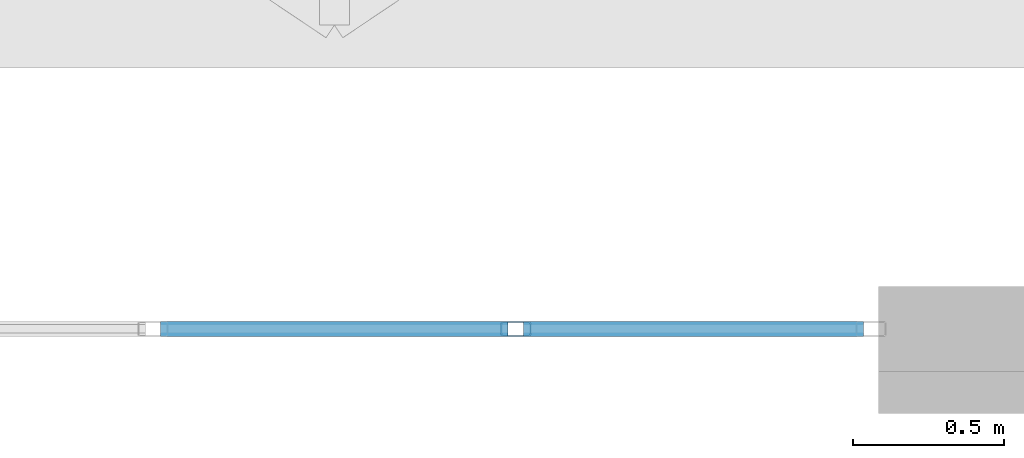
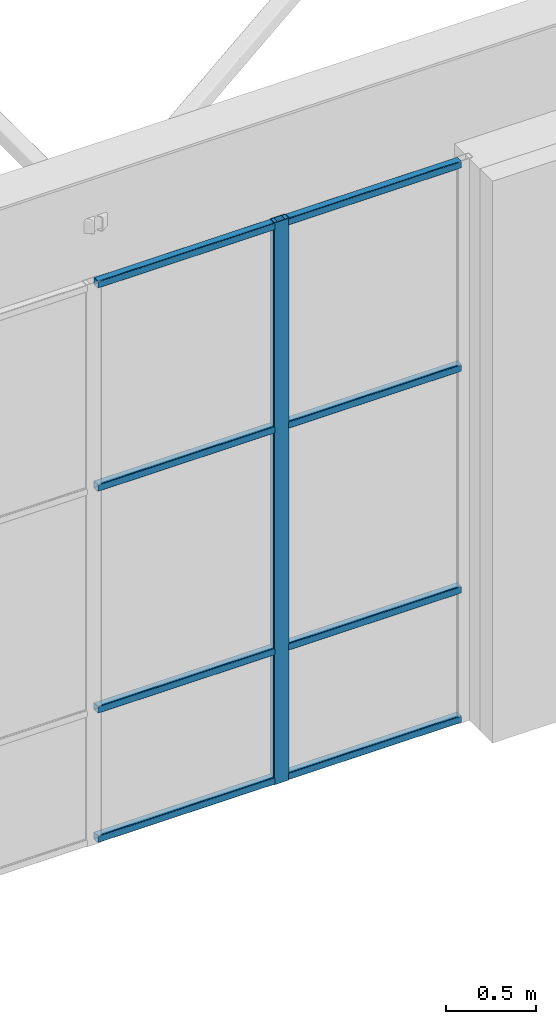
# One storey, part 28 of 81: 9 members, 1 element without a shape of its own.
"""IFC4 building model written with IfcOpenShell, lengths in metres."""

from ifc_helpers import new_model, si_unit, direction, frame, origin, origin_2d, place, context, subcontext, project, spatial, hollow_rectangle, extrude, material, layer, layer_set, material_profile, profile_set, type_object, element, aggregate, save


model = new_model("IFC4")

# Units and contexts
model_context = context("Model", 3, precision=1e-05, world=origin(), true_north=direction((0.0, 1.0)))
body_context = subcontext(model_context, "Body", "Model", "MODEL_VIEW")
ifc_project = project(units=[si_unit("LENGTHUNIT", "METRE"), si_unit("AREAUNIT", "SQUARE_METRE"), si_unit("VOLUMEUNIT", "CUBIC_METRE"), si_unit("PLANEANGLEUNIT", "RADIAN"), si_unit("MASSUNIT", "GRAM", prefix="KILO")], contexts=[model_context])

# Site, building, storey
site_placement = place(None, origin())
site = spatial("IfcSite", under=ifc_project, at=site_placement, CompositionType="ELEMENT")
building_placement = place(site_placement, origin())
building = spatial("IfcBuilding", under=site, at=building_placement, Name="Tuart Plaza Theatre", CompositionType="ELEMENT")
storey_placement = place(building_placement, frame((0.0, 0.0, 17.5)))
storey = spatial("IfcBuildingStorey", under=building, at=storey_placement, Name="L04", CompositionType="ELEMENT", Elevation=17.5)

# Curtain wall, members
ifc_material_1 = material(Name="Aluminium and glass", Category="aluminium")
ifc_layer = layer(ifc_material_1, 0.10009765625)
ifc_layer_set = layer_set([ifc_layer], Name="CURTAIN WALL 1200 module")
curtain_wall_type = type_object("IfcCurtainWallType", Name="CURTAIN WALL 1200 module", PredefinedType="NOTDEFINED", material=ifc_layer_set)
curtain_wall_placement = place(storey_placement, origin())
curtain_wall = element("IfcCurtainWall", 1, at=curtain_wall_placement, inside=storey, type_object=curtain_wall_type, Name="CW47", PredefinedType="NOTDEFINED")
ifc_material_2 = material(Name="Aluminium 6063-T5", Category="aluminium")
ifc_material_profile_1 = material_profile(ifc_material_2, hollow_rectangle(XDim=0.050048828125, YDim=0.10009765625, WallThickness=0.00390625, InnerFilletRadius=0.00390625, OuterFilletRadius=0.008056640625, at=origin_2d()), Name="RHS 100x50x4")
ifc_profile_set_1 = profile_set([ifc_material_profile_1], Name="Aluminium 6063-T5")
member_type_1 = type_object("IfcMemberType", Name="MULLION RHS 100x50x4", PredefinedType="MULLION", material=ifc_profile_set_1)
member_1_placement = place(storey_placement, frame((96.60009765625, 31.0, 0.0), z_axis=(0.0, 0.0, 1.0), x_axis=(0.0, 1.0, 0.0)))
member_1 = element("IfcMember", 2, at=member_1_placement, type_object=member_type_1, Name="CW47 mullion 3", PredefinedType="MULLION", context=body_context, shape_type="SweptSolid", body=[
    extrude(hollow_rectangle(XDim=0.050048828125, YDim=0.10009765625, WallThickness=0.00390625, InnerFilletRadius=0.00390625, OuterFilletRadius=0.008056640625, at=origin_2d()), origin(), (0.0, 0.0, 1.0), 3.800048828125),
])
ifc_material_3 = material(Name="Aluminium 6063-T5", Category="aluminium")
ifc_material_profile_2 = material_profile(ifc_material_3, hollow_rectangle(XDim=0.050048828125, YDim=0.050048828125, WallThickness=0.00390625, InnerFilletRadius=0.00390625, OuterFilletRadius=0.008056640625, at=origin_2d()), Name="RHS 50x50x4")
ifc_profile_set_2 = profile_set([ifc_material_profile_2], Name="Aluminium 6063-T5")
member_type_2 = type_object("IfcMemberType", Name="TRANSOM RHS 50x50x4", PredefinedType="USERDEFINED", material=ifc_profile_set_2)
member_2_placement = place(storey_placement, frame((95.425048828125, 31.0, 0.02490234375), z_axis=(1.0, 0.0, 0.0), x_axis=(0.0, 1.0, 0.0)))
member_2 = element("IfcMember", 3, at=member_2_placement, type_object=member_type_2, Name="CW47 transom 2.1", ObjectType="TRANSOM", PredefinedType="USERDEFINED", context=body_context, shape_type="SweptSolid", body=[
    extrude(hollow_rectangle(XDim=0.050048828125, YDim=0.050048828125, WallThickness=0.00390625, InnerFilletRadius=0.00390625, OuterFilletRadius=0.008056640625, at=origin_2d()), origin(), (0.0, 0.0, 1.0), 1.14990234375),
])
member_3_placement = place(storey_placement, frame((95.425048828125, 31.0, 0.89990234375), z_axis=(1.0, 0.0, 0.0), x_axis=(0.0, 1.0, 0.0)))
member_3 = element("IfcMember", 4, at=member_3_placement, type_object=member_type_2, Name="CW47 transom 2.2", ObjectType="TRANSOM", PredefinedType="USERDEFINED", context=body_context, shape_type="SweptSolid", body=[
    extrude(hollow_rectangle(XDim=0.050048828125, YDim=0.050048828125, WallThickness=0.00390625, InnerFilletRadius=0.00390625, OuterFilletRadius=0.008056640625, at=origin_2d()), origin(), (0.0, 0.0, 1.0), 1.14990234375),
])
member_4_placement = place(storey_placement, frame((95.425048828125, 31.0, 2.39990234375), z_axis=(1.0, 0.0, 0.0), x_axis=(0.0, 1.0, 0.0)))
member_4 = element("IfcMember", 5, at=member_4_placement, type_object=member_type_2, Name="CW47 transom 2.3", ObjectType="TRANSOM", PredefinedType="USERDEFINED", context=body_context, shape_type="SweptSolid", body=[
    extrude(hollow_rectangle(XDim=0.050048828125, YDim=0.050048828125, WallThickness=0.00390625, InnerFilletRadius=0.00390625, OuterFilletRadius=0.008056640625, at=origin_2d()), origin(), (0.0, 0.0, 1.0), 1.14990234375),
])
member_5_placement = place(storey_placement, frame((95.425048828125, 31.0, 3.77490234375), z_axis=(1.0, 0.0, 0.0), x_axis=(0.0, 1.0, 0.0)))
member_5 = element("IfcMember", 6, at=member_5_placement, type_object=member_type_2, Name="CW47 transom 2.4", ObjectType="TRANSOM", PredefinedType="USERDEFINED", context=body_context, shape_type="SweptSolid", body=[
    extrude(hollow_rectangle(XDim=0.050048828125, YDim=0.050048828125, WallThickness=0.00390625, InnerFilletRadius=0.00390625, OuterFilletRadius=0.008056640625, at=origin_2d()), origin(), (0.0, 0.0, 1.0), 1.14990234375),
])
member_6_placement = place(storey_placement, frame((96.625, 31.0, 0.02490234375), z_axis=(1.0, 0.0, 0.0), x_axis=(0.0, 1.0, 0.0)))
member_6 = element("IfcMember", 7, at=member_6_placement, type_object=member_type_2, Name="CW47 transom 3.1", ObjectType="TRANSOM", PredefinedType="USERDEFINED", context=body_context, shape_type="SweptSolid", body=[
    extrude(hollow_rectangle(XDim=0.050048828125, YDim=0.050048828125, WallThickness=0.00390625, InnerFilletRadius=0.00390625, OuterFilletRadius=0.008056640625, at=origin_2d()), origin(), (0.0, 0.0, 1.0), 1.125),
])
member_7_placement = place(storey_placement, frame((96.625, 31.0, 0.89990234375), z_axis=(1.0, 0.0, 0.0), x_axis=(0.0, 1.0, 0.0)))
member_7 = element("IfcMember", 8, at=member_7_placement, type_object=member_type_2, Name="CW47 transom 3.2", ObjectType="TRANSOM", PredefinedType="USERDEFINED", context=body_context, shape_type="SweptSolid", body=[
    extrude(hollow_rectangle(XDim=0.050048828125, YDim=0.050048828125, WallThickness=0.00390625, InnerFilletRadius=0.00390625, OuterFilletRadius=0.008056640625, at=origin_2d()), origin(), (0.0, 0.0, 1.0), 1.125),
])
member_8_placement = place(storey_placement, frame((96.625, 31.0, 2.39990234375), z_axis=(1.0, 0.0, 0.0), x_axis=(0.0, 1.0, 0.0)))
member_8 = element("IfcMember", 9, at=member_8_placement, type_object=member_type_2, Name="CW47 transom 3.3", ObjectType="TRANSOM", PredefinedType="USERDEFINED", context=body_context, shape_type="SweptSolid", body=[
    extrude(hollow_rectangle(XDim=0.050048828125, YDim=0.050048828125, WallThickness=0.00390625, InnerFilletRadius=0.00390625, OuterFilletRadius=0.008056640625, at=origin_2d()), origin(), (0.0, 0.0, 1.0), 1.125),
])
member_9_placement = place(storey_placement, frame((96.625, 31.0, 3.77490234375), z_axis=(1.0, 0.0, 0.0), x_axis=(0.0, 1.0, 0.0)))
member_9 = element("IfcMember", 10, at=member_9_placement, type_object=member_type_2, Name="CW47 transom 3.4", ObjectType="TRANSOM", PredefinedType="USERDEFINED", context=body_context, shape_type="SweptSolid", body=[
    extrude(hollow_rectangle(XDim=0.050048828125, YDim=0.050048828125, WallThickness=0.00390625, InnerFilletRadius=0.00390625, OuterFilletRadius=0.008056640625, at=origin_2d()), origin(), (0.0, 0.0, 1.0), 1.125),
])
aggregate(curtain_wall, [member_1, member_2, member_3, member_4, member_5, member_6, member_7, member_8, member_9])

save(model, "model.ifc")
